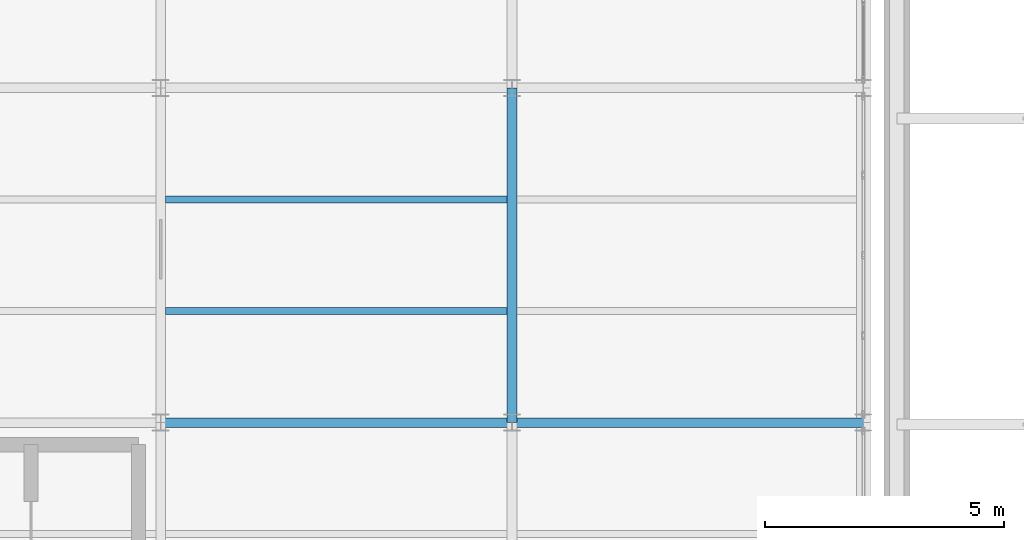
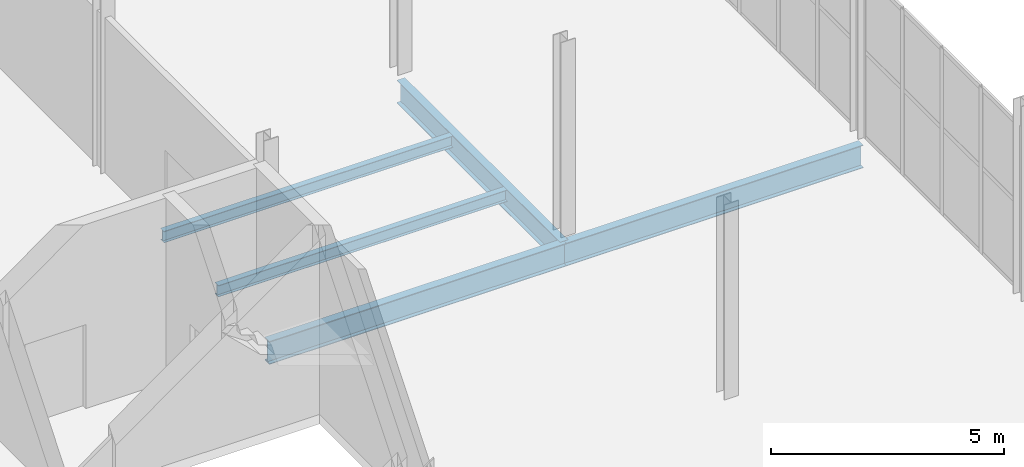
# One storey, part 52 of 218: 5 beams.
"""IFC4 building model written with IfcOpenShell, lengths in metres."""

from ifc_helpers import new_model, si_unit, direction, frame, origin, origin_2d, place, context, subcontext, project, spatial, i_section, extrude, material, material_profile, profile_set, type_object, element, save


model = new_model("IFC4")

# Units and contexts
model_context = context("Model", 3, precision=1e-05, world=origin(), true_north=direction((0.0, 1.0)))
body_context = subcontext(model_context, "Body", "Model", "MODEL_VIEW")
ifc_project = project(units=[si_unit("LENGTHUNIT", "METRE"), si_unit("AREAUNIT", "SQUARE_METRE"), si_unit("VOLUMEUNIT", "CUBIC_METRE"), si_unit("PLANEANGLEUNIT", "RADIAN"), si_unit("MASSUNIT", "GRAM", prefix="KILO")], contexts=[model_context])

# Site, building, storey
site_placement = place(None, origin())
site = spatial("IfcSite", under=ifc_project, at=site_placement, CompositionType="ELEMENT")
building_placement = place(site_placement, origin())
building = spatial("IfcBuilding", under=site, at=building_placement, Name="Kazenagashi Tramway Depot", CompositionType="ELEMENT")
storey_placement = place(building_placement, frame((0.0, 0.0, 6.0)))
storey = spatial("IfcBuildingStorey", under=building, at=storey_placement, Name="L02", CompositionType="ELEMENT", Elevation=6.0)

# Beams
ifc_material_1 = material(Name="Steel SN490B", Category="steel")
ifc_material_profile_1 = material_profile(ifc_material_1, i_section(OverallWidth=0.2, OverallDepth=0.6, WebThickness=0.011, FlangeThickness=0.017, at=origin_2d()), Name="H-600x200x11x17")
ifc_profile_set_1 = profile_set([ifc_material_profile_1], Name="Steel SN490B")
beam_type_1 = type_object("IfcBeamType", Name="G-03", PredefinedType="BEAM", material=ifc_profile_set_1)
for number, where, z_axis, x_axis, name in (
    (1, (29.4, 42.0, -0.55), (1.0, 0.0, 0.0), (0.0, 1.0, 0.0), "Beam G-03 BM-0035"),
    (2, (36.75, 42.0, -0.55), (1.0, 0.0, 0.0), (0.0, 1.0, 0.0), "Beam G-03 BM-0036"),
):
    element("IfcBeam", number, at=place(storey_placement, frame(where, z_axis=z_axis, x_axis=x_axis)), inside=storey, type_object=beam_type_1, Name=name, PredefinedType="BEAM", context=body_context, shape_type="SweptSolid", body=[
        extrude(i_section(OverallWidth=0.2, OverallDepth=0.6, WebThickness=0.011, FlangeThickness=0.017, at=origin_2d()), origin(), (0.0, 0.0, 1.0), 7.35),
    ])
beam_placement = place(storey_placement, frame((36.75, 42.0, -0.55), z_axis=(0.0, 1.0, 0.0), x_axis=(-1.0, 0.0, 0.0)))
element("IfcBeam", 3, at=beam_placement, inside=storey, type_object=beam_type_1, Name="Beam G-03 BM-0200", PredefinedType="BEAM", context=body_context, shape_type="SweptSolid", body=[
    extrude(i_section(OverallWidth=0.2, OverallDepth=0.6, WebThickness=0.011, FlangeThickness=0.017, at=origin_2d()), origin(), (0.0, 0.0, 1.0), 7.0),
])
ifc_material_2 = material(Name="Steel SN400B", Category="steel")
ifc_material_profile_2 = material_profile(ifc_material_2, i_section(OverallWidth=0.15, OverallDepth=0.3, WebThickness=0.0065, FlangeThickness=0.009, at=origin_2d()), Name="H-300x150x6.5x9")
ifc_profile_set_2 = profile_set([ifc_material_profile_2], Name="Steel SN400B")
beam_type_2 = type_object("IfcBeamType", Name="J-02", PredefinedType="JOIST", material=ifc_profile_set_2)
for number, where, z_axis, x_axis, name in (
    (4, (29.5, 44.333, -0.4), (1.0, 0.0, 0.0), (0.0, 1.0, 0.0), "Beam J-02 BM-0174"),
    (5, (29.5, 46.667, -0.4), (1.0, 0.0, 0.0), (0.0, 1.0, 0.0), "Beam J-02 BM-0175"),
):
    element("IfcBeam", number, at=place(storey_placement, frame(where, z_axis=z_axis, x_axis=x_axis)), inside=storey, type_object=beam_type_2, Name=name, PredefinedType="JOIST", context=body_context, shape_type="SweptSolid", body=[
        extrude(i_section(OverallWidth=0.15, OverallDepth=0.3, WebThickness=0.0065, FlangeThickness=0.009, at=origin_2d()), origin(), (0.0, 0.0, 1.0), 7.15),
    ])

save(model, "model.ifc")
